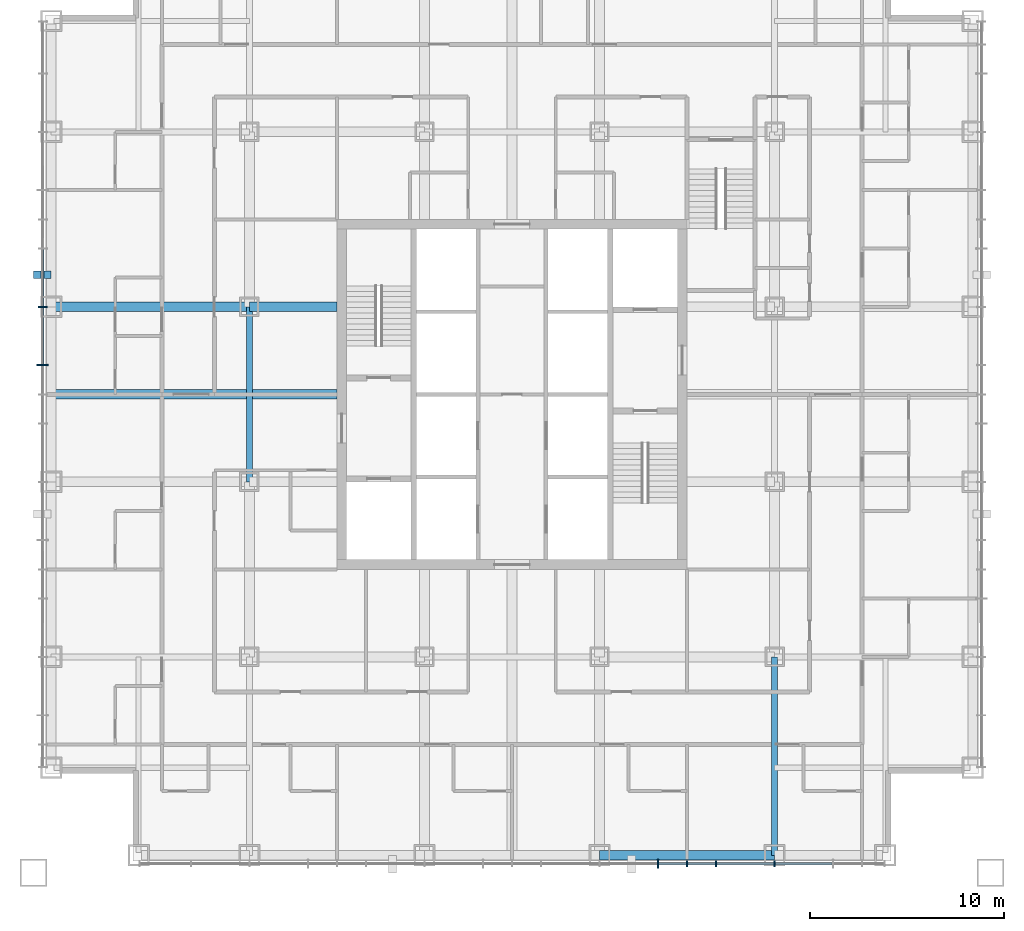
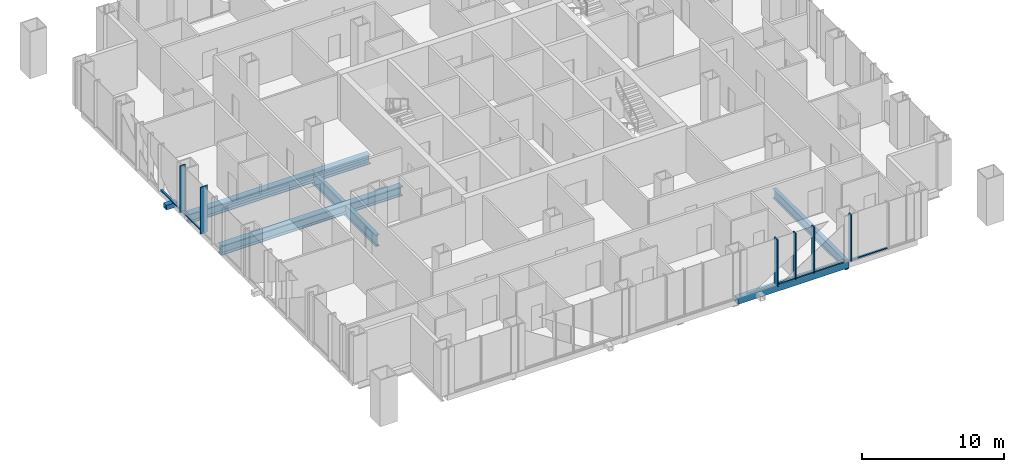
# One storey, part 3 of 13: 13 members, 6 beams, 2 elements without a shape of their own.
"""IFC4 building model written with IfcOpenShell, lengths in metres."""

from ifc_helpers import new_model, si_unit, direction, frame, origin, origin_2d, place, context, subcontext, project, spatial, rectangle, hollow_rectangle, i_section, extrude, material, layer, layer_set, material_profile, profile_set, type_object, element, aggregate, save


model = new_model("IFC4")

# Units and contexts
model_context = context("Model", 3, precision=1e-05, world=origin(), true_north=direction((0.0, 1.0)))
body_context = subcontext(model_context, "Body", "Model", "MODEL_VIEW")
ifc_project = project(units=[si_unit("LENGTHUNIT", "METRE"), si_unit("AREAUNIT", "SQUARE_METRE"), si_unit("VOLUMEUNIT", "CUBIC_METRE"), si_unit("PLANEANGLEUNIT", "RADIAN"), si_unit("MASSUNIT", "GRAM", prefix="KILO")], contexts=[model_context])

# Site, building, storey
site_placement = place(None, origin())
site = spatial("IfcSite", under=ifc_project, at=site_placement, CompositionType="ELEMENT")
building_placement = place(site_placement, origin())
building = spatial("IfcBuilding", under=site, at=building_placement, Name="Malebo Sky Hospital", CompositionType="ELEMENT")
storey_placement = place(building_placement, frame((0.0, 0.0, 160.0)))
storey = spatial("IfcBuildingStorey", under=building, at=storey_placement, Name="L38", CompositionType="ELEMENT", Elevation=160.0)

# Curtain wall, members
ifc_material_1 = material(Name="Anodised aluminium, natural silver", Category="aluminium")
ifc_layer_1 = layer(ifc_material_1, 0.25)
ifc_layer_set_1 = layer_set([ifc_layer_1], Name="WARD CURTAIN WALL EAST AND WEST")
curtain_wall_type_1 = type_object("IfcCurtainWallType", Name="WARD CURTAIN WALL EAST AND WEST", PredefinedType="NOTDEFINED", material=ifc_layer_set_1)
curtain_wall_1_placement = place(storey_placement, origin())
curtain_wall_1 = element("IfcCurtainWall", 1, at=curtain_wall_1_placement, inside=storey, type_object=curtain_wall_type_1, Name="EW curtain wall W", PredefinedType="NOTDEFINED")
ifc_material_profile_1 = material_profile(ifc_material_1, rectangle(XDim=0.14990234375, YDim=0.10009765625, at=origin_2d()), Name="ALUMINIUM TRANSOM 150x100")
ifc_profile_set_1 = profile_set([ifc_material_profile_1], Name="Anodised aluminium, natural silver")
member_type_1 = type_object("IfcMemberType", Name="ALUMINIUM TRANSOM 150x100", PredefinedType="USERDEFINED", material=ifc_profile_set_1)
member_1_placement = place(storey_placement, frame((35.864990234375, 63.53759765625, 0.050048828125), z_axis=(0.0, 1.0, 0.0), x_axis=(-1.0, 0.0, 0.0)))
member_1 = element("IfcMember", 2, at=member_1_placement, type_object=member_type_1, Name="Transom 11", ObjectType="TRANSOM", PredefinedType="USERDEFINED", context=body_context, shape_type="SweptSolid", body=[
    extrude(rectangle(XDim=0.14990234375, YDim=0.10009765625, at=origin_2d()), origin(), (0.0, 0.0, 1.0), 2.9248046875),
])
member_2_placement = place(storey_placement, frame((35.864990234375, 66.53759765625, 0.050048828125), z_axis=(0.0, 1.0, 0.0), x_axis=(-1.0, 0.0, 0.0)))
member_2 = element("IfcMember", 3, at=member_2_placement, type_object=member_type_1, Name="Transom 12", ObjectType="TRANSOM", PredefinedType="USERDEFINED", context=body_context, shape_type="SweptSolid", body=[
    extrude(rectangle(XDim=0.14990234375, YDim=0.10009765625, at=origin_2d()), origin(), (0.0, 0.0, 1.0), 2.9248046875),
])

ifc_layer_2 = layer(ifc_material_1, 0.25)
ifc_layer_set_2 = layer_set([ifc_layer_2], Name="WARD CURTAIN WALL NORTH AND SOUTH")
curtain_wall_type_2 = type_object("IfcCurtainWallType", Name="WARD CURTAIN WALL NORTH AND SOUTH", PredefinedType="NOTDEFINED", material=ifc_layer_set_2)
curtain_wall_2_placement = place(storey_placement, origin())
curtain_wall_2 = element("IfcCurtainWall", 4, at=curtain_wall_2_placement, inside=storey, type_object=curtain_wall_type_2, Name="NS curtain wall S", PredefinedType="NOTDEFINED")
member_3_placement = place(storey_placement, frame((76.46240234375, 37.864990234375, 0.050048828125), z_axis=(-1.0, 0.0, 0.0), x_axis=(0.0, -1.0, 0.0)))
member_3 = element("IfcMember", 5, at=member_3_placement, type_object=member_type_1, Name="Transom 3", ObjectType="TRANSOM", PredefinedType="USERDEFINED", context=body_context, shape_type="SweptSolid", body=[
    extrude(rectangle(XDim=0.14990234375, YDim=0.10009765625, at=origin_2d()), origin(), (0.0, 0.0, 1.0), 2.9248046875),
])
member_4_placement = place(storey_placement, frame((73.46240234375, 37.864990234375, 0.050048828125), z_axis=(-1.0, 0.0, 0.0), x_axis=(0.0, -1.0, 0.0)))
member_4 = element("IfcMember", 6, at=member_4_placement, type_object=member_type_1, Name="Transom 4", ObjectType="TRANSOM", PredefinedType="USERDEFINED", context=body_context, shape_type="SweptSolid", body=[
    extrude(rectangle(XDim=0.14990234375, YDim=0.10009765625, at=origin_2d()), origin(), (0.0, 0.0, 1.0), 2.9248046875),
])
member_5_placement = place(storey_placement, frame((70.46240234375, 37.864990234375, 0.050048828125), z_axis=(-1.0, 0.0, 0.0), x_axis=(0.0, -1.0, 0.0)))
member_5 = element("IfcMember", 7, at=member_5_placement, type_object=member_type_1, Name="Transom 5", ObjectType="TRANSOM", PredefinedType="USERDEFINED", context=body_context, shape_type="SweptSolid", body=[
    extrude(rectangle(XDim=0.14990234375, YDim=0.10009765625, at=origin_2d()), origin(), (0.0, 0.0, 1.0), 1.4248046875),
])
member_6_placement = place(storey_placement, frame((68.96240234375, 37.864990234375, 0.050048828125), z_axis=(-1.0, 0.0, 0.0), x_axis=(0.0, -1.0, 0.0)))
member_6 = element("IfcMember", 8, at=member_6_placement, type_object=member_type_1, Name="Transom 6", ObjectType="TRANSOM", PredefinedType="USERDEFINED", context=body_context, shape_type="SweptSolid", body=[
    extrude(rectangle(XDim=0.14990234375, YDim=0.10009765625, at=origin_2d()), origin(), (0.0, 0.0, 1.0), 1.4248046875),
])

# Member
ifc_material_2 = material(Name="Steel S355", Category="steel")
ifc_material_profile_2 = material_profile(ifc_material_2, hollow_rectangle(XDim=0.39990234375, YDim=0.39990234375, WallThickness=0.02001953125, at=origin_2d()), Name="SHS 400x20")
ifc_profile_set_2 = profile_set([ifc_material_profile_2], Name="Steel S355")
member_type_2 = type_object("IfcMemberType", Name="BRACE STRUT SHS 400x20", PredefinedType="STRUT", material=ifc_profile_set_2)
member_7_placement = place(storey_placement, frame((35.39990234375, 68.14990234375, -0.39990234375), z_axis=(1.0, 0.0, 0.0), x_axis=(0.0, 1.0, 0.0)))
element("IfcMember", 9, at=member_7_placement, inside=storey, type_object=member_type_2, Name="Brace strut BW2 L38", PredefinedType="STRUT", context=body_context, shape_type="SweptSolid", body=[
    extrude(hollow_rectangle(XDim=0.39990234375, YDim=0.39990234375, WallThickness=0.02001953125, at=origin_2d()), origin(), (0.0, 0.0, 1.0), 0.900146484375),
])

ifc_material_profile_3 = material_profile(ifc_material_1, rectangle(XDim=0.074951171875, YDim=0.300048828125, at=origin_2d()), Name="CW1 ALUMINIUM FIN MULLION 75x300")
ifc_profile_set_3 = profile_set([ifc_material_profile_3], Name="Anodised aluminium, natural silver")
member_type_3 = type_object("IfcMemberType", Name="CW1 ALUMINIUM FIN MULLION 75x300", PredefinedType="MULLION", material=ifc_profile_set_3)
member_8_placement = place(storey_placement, frame((73.5, 37.864990234375, 0.0), z_axis=(0.0, 0.0, 1.0), x_axis=(-1.0, 0.0, 0.0)))
member_8 = element("IfcMember", 10, at=member_8_placement, type_object=member_type_3, Name="Fin mullion 4", PredefinedType="MULLION", context=body_context, shape_type="SweptSolid", body=[
    extrude(rectangle(XDim=0.074951171875, YDim=0.300048828125, at=origin_2d()), origin(), (0.0, 0.0, 1.0), 4.0),
])

member_9_placement = place(storey_placement, frame((70.5, 37.864990234375, 0.0), z_axis=(0.0, 0.0, 1.0), x_axis=(-1.0, 0.0, 0.0)))
member_9 = element("IfcMember", 11, at=member_9_placement, type_object=member_type_3, Name="Fin mullion 5", PredefinedType="MULLION", context=body_context, shape_type="SweptSolid", body=[
    extrude(rectangle(XDim=0.074951171875, YDim=0.300048828125, at=origin_2d()), origin(), (0.0, 0.0, 1.0), 4.0),
])

member_10_placement = place(storey_placement, frame((69.0, 37.864990234375, 0.0), z_axis=(0.0, 0.0, 1.0), x_axis=(-1.0, 0.0, 0.0)))
member_10 = element("IfcMember", 12, at=member_10_placement, type_object=member_type_3, Name="Fin mullion 6", PredefinedType="MULLION", context=body_context, shape_type="SweptSolid", body=[
    extrude(rectangle(XDim=0.074951171875, YDim=0.300048828125, at=origin_2d()), origin(), (0.0, 0.0, 1.0), 4.0),
])

ifc_material_profile_4 = material_profile(ifc_material_1, rectangle(XDim=0.074951171875, YDim=0.449951171875, at=origin_2d()), Name="CW1 ALUMINIUM FIN MULLION 75x450")
ifc_profile_set_4 = profile_set([ifc_material_profile_4], Name="Anodised aluminium, natural silver")
member_type_4 = type_object("IfcMemberType", Name="CW1 ALUMINIUM FIN MULLION 75x450", PredefinedType="MULLION", material=ifc_profile_set_4)
member_11_placement = place(storey_placement, frame((67.5, 37.864990234375, 0.0), z_axis=(0.0, 0.0, 1.0), x_axis=(-1.0, 0.0, 0.0)))
member_11 = element("IfcMember", 13, at=member_11_placement, type_object=member_type_4, Name="Fin mullion 7", PredefinedType="MULLION", context=body_context, shape_type="SweptSolid", body=[
    extrude(rectangle(XDim=0.074951171875, YDim=0.449951171875, at=origin_2d()), origin(), (0.0, 0.0, 1.0), 4.0),
])

aggregate(curtain_wall_2, [member_8, member_9, member_10, member_11, member_3, member_4, member_5, member_6])

ifc_material_profile_5 = material_profile(ifc_material_1, rectangle(XDim=0.074951171875, YDim=0.449951171875, at=origin_2d()), Name="CW2 ALUMINIUM FIN MULLION 75x450")
ifc_profile_set_5 = profile_set([ifc_material_profile_5], Name="Anodised aluminium, natural silver")
member_type_5 = type_object("IfcMemberType", Name="CW2 ALUMINIUM FIN MULLION 75x450", PredefinedType="MULLION", material=ifc_profile_set_5)
member_12_placement = place(storey_placement, frame((35.864990234375, 66.5, 0.0), z_axis=(0.0, 0.0, 1.0), x_axis=(0.0, 1.0, 0.0)))
member_12 = element("IfcMember", 14, at=member_12_placement, type_object=member_type_5, Name="Fin mullion 12", PredefinedType="MULLION", context=body_context, shape_type="SweptSolid", body=[
    extrude(rectangle(XDim=0.074951171875, YDim=0.449951171875, at=origin_2d()), origin(), (0.0, 0.0, 1.0), 4.0),
])

ifc_material_profile_6 = material_profile(ifc_material_1, rectangle(XDim=0.074951171875, YDim=0.60009765625, at=origin_2d()), Name="CW2 ALUMINIUM FIN MULLION 75x600")
ifc_profile_set_6 = profile_set([ifc_material_profile_6], Name="Anodised aluminium, natural silver")
member_type_6 = type_object("IfcMemberType", Name="CW2 ALUMINIUM FIN MULLION 75x600", PredefinedType="MULLION", material=ifc_profile_set_6)
member_13_placement = place(storey_placement, frame((35.864990234375, 63.5, 0.0), z_axis=(0.0, 0.0, 1.0), x_axis=(0.0, 1.0, 0.0)))
member_13 = element("IfcMember", 15, at=member_13_placement, type_object=member_type_6, Name="Fin mullion 11", PredefinedType="MULLION", context=body_context, shape_type="SweptSolid", body=[
    extrude(rectangle(XDim=0.074951171875, YDim=0.60009765625, at=origin_2d()), origin(), (0.0, 0.0, 1.0), 4.0),
])

aggregate(curtain_wall_1, [member_13, member_12, member_1, member_2])

# Beams
ifc_material_3 = material(Name="Steel S460", Category="steel")
ifc_material_profile_7 = material_profile(ifc_material_3, hollow_rectangle(XDim=0.5, YDim=0.5, WallThickness=0.030029296875, at=origin_2d()), Name="BOX 500x500x30")
ifc_profile_set_7 = profile_set([ifc_material_profile_7], Name="Steel S460")
beam_type_1 = type_object("IfcBeamType", Name="EDGE BEAM BOX 500x500x30", PredefinedType="BEAM", material=ifc_profile_set_7)
beam_1_placement = place(storey_placement, frame((64.5, 38.300048828125, -0.5), z_axis=(1.0, 0.0, 0.0), x_axis=(0.0, 1.0, 0.0)))
element("IfcBeam", 16, at=beam_1_placement, inside=storey, type_object=beam_type_1, Name="Beam 037 L38", PredefinedType="BEAM", context=body_context, shape_type="SweptSolid", body=[
    extrude(hollow_rectangle(XDim=0.5, YDim=0.5, WallThickness=0.030029296875, at=origin_2d()), origin(), (0.0, 0.0, 1.0), 9.0),
])
ifc_material_profile_8 = material_profile(ifc_material_2, i_section(OverallWidth=0.5, OverallDepth=0.800048828125, WebThickness=0.030029296875, FlangeThickness=0.050048828125, at=origin_2d()), Name="PG 800x500x30x50")
ifc_profile_set_8 = profile_set([ifc_material_profile_8], Name="Steel S355")
beam_type_2 = type_object("IfcBeamType", Name="FLOOR BEAM PG 800x500x30x50", PredefinedType="BEAM", material=ifc_profile_set_8)
beam_2_placement = place(storey_placement, frame((36.300048828125, 62.0, -0.64990234375), z_axis=(1.0, 0.0, 0.0), x_axis=(0.0, 1.0, 0.0)))
element("IfcBeam", 17, at=beam_2_placement, inside=storey, type_object=beam_type_2, Name="Beam 050 L38", PredefinedType="BEAM", context=body_context, shape_type="SweptSolid", body=[
    extrude(i_section(OverallWidth=0.5, OverallDepth=0.800048828125, WebThickness=0.030029296875, FlangeThickness=0.050048828125, at=origin_2d()), origin(), (0.0, 0.0, 1.0), 14.699951171875),
])
beam_3_placement = place(storey_placement, frame((36.300048828125, 66.5, -0.64990234375), z_axis=(1.0, 0.0, 0.0), x_axis=(0.0, 1.0, 0.0)))
element("IfcBeam", 18, at=beam_3_placement, inside=storey, type_object=beam_type_2, Name="Beam 052 L38", PredefinedType="BEAM", context=body_context, shape_type="SweptSolid", body=[
    extrude(i_section(OverallWidth=0.5, OverallDepth=0.800048828125, WebThickness=0.030029296875, FlangeThickness=0.050048828125, at=origin_2d()), origin(), (0.0, 0.0, 1.0), 10.199951171875),
])
beam_4_placement = place(storey_placement, frame((46.5, 66.5, -0.64990234375), z_axis=(1.0, 0.0, 0.0), x_axis=(0.0, 1.0, 0.0)))
element("IfcBeam", 19, at=beam_4_placement, inside=storey, type_object=beam_type_2, Name="Beam 053 L38", PredefinedType="BEAM", context=body_context, shape_type="SweptSolid", body=[
    extrude(i_section(OverallWidth=0.5, OverallDepth=0.800048828125, WebThickness=0.030029296875, FlangeThickness=0.050048828125, at=origin_2d()), origin(), (0.0, 0.0, 1.0), 4.5),
])
ifc_material_profile_9 = material_profile(ifc_material_2, i_section(OverallWidth=0.300048828125, OverallDepth=0.800048828125, WebThickness=0.017578125, FlangeThickness=0.032958984375, FilletRadius=0.030029296875, at=origin_2d()), Name="HEB 800")
ifc_profile_set_9 = profile_set([ifc_material_profile_9], Name="Steel S355")
beam_type_3 = type_object("IfcBeamType", Name="FLOOR GIRDER HEB 800", PredefinedType="BEAM", material=ifc_profile_set_9)
beam_5_placement = place(storey_placement, frame((73.5, 38.300048828125, -0.64990234375), z_axis=(0.0, 1.0, 0.0), x_axis=(-1.0, 0.0, 0.0)))
element("IfcBeam", 20, at=beam_5_placement, inside=storey, type_object=beam_type_3, Name="Beam 022 L38", PredefinedType="BEAM", context=body_context, shape_type="SweptSolid", body=[
    extrude(i_section(OverallWidth=0.300048828125, OverallDepth=0.800048828125, WebThickness=0.017578125, FlangeThickness=0.032958984375, FilletRadius=0.030029296875, at=origin_2d()), origin(), (0.0, 0.0, 1.0), 10.199951171875),
])
ifc_material_profile_10 = material_profile(ifc_material_2, i_section(OverallWidth=0.300048828125, OverallDepth=1.0, WebThickness=0.01904296875, FlangeThickness=0.035888671875, FilletRadius=0.030029296875, at=origin_2d()), Name="HEB 1000")
ifc_profile_set_10 = profile_set([ifc_material_profile_10], Name="Steel S355")
beam_type_4 = type_object("IfcBeamType", Name="RING GIRDER HEB 1000", PredefinedType="BEAM", material=ifc_profile_set_10)
beam_6_placement = place(storey_placement, frame((46.5, 57.5, -0.75), z_axis=(0.0, 1.0, 0.0), x_axis=(-1.0, 0.0, 0.0)))
element("IfcBeam", 21, at=beam_6_placement, inside=storey, type_object=beam_type_4, Name="Beam 009 L38", PredefinedType="BEAM", context=body_context, shape_type="SweptSolid", body=[
    extrude(i_section(OverallWidth=0.300048828125, OverallDepth=1.0, WebThickness=0.01904296875, FlangeThickness=0.035888671875, FilletRadius=0.030029296875, at=origin_2d()), origin(), (0.0, 0.0, 1.0), 9.0),
])

save(model, "model.ifc")
